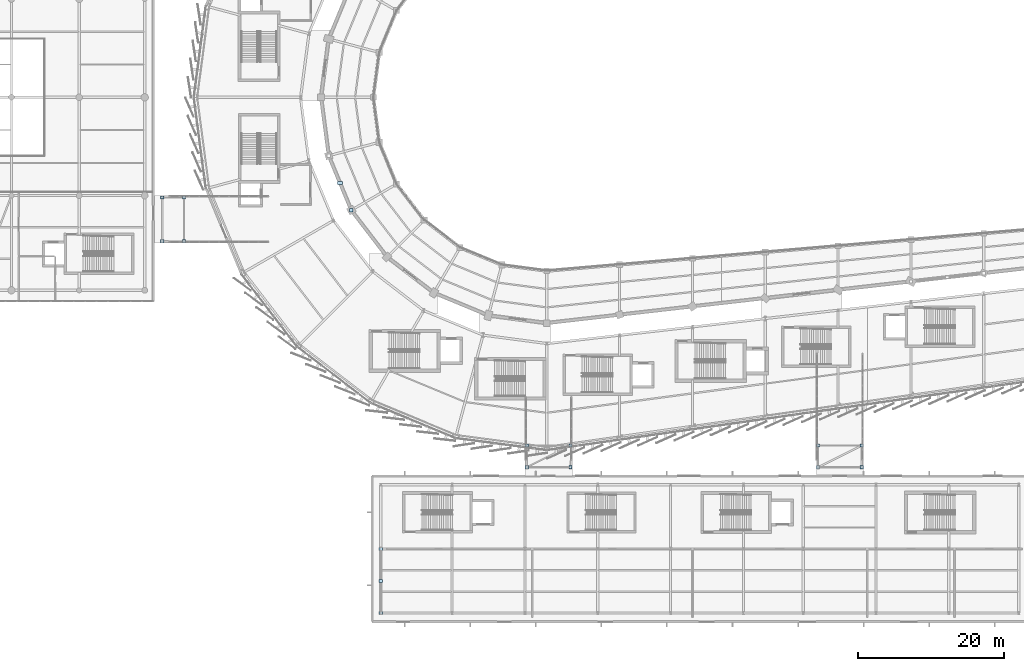
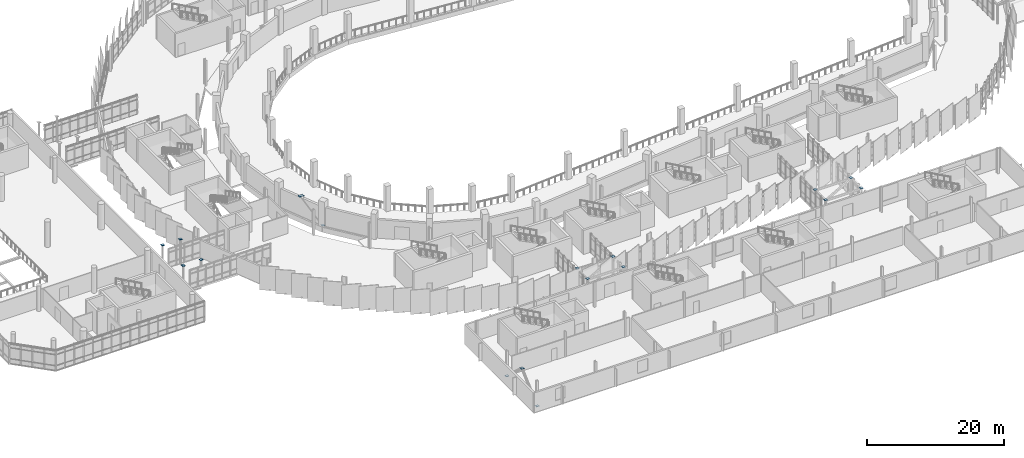
# One storey, part 98 of 125: 17 plates.
"""IFC4 building model written with IfcOpenShell, lengths in metres."""

from ifc_helpers import new_model, si_unit, direction, frame, origin, origin_2d, place, context, subcontext, project, spatial, rectangle, extrude, material, layer, layer_set, type_object, element, save


model = new_model("IFC4")

# Units and contexts
model_context = context("Model", 3, precision=1e-05, world=origin(), true_north=direction((0.0, 1.0)))
body_context = subcontext(model_context, "Body", "Model", "MODEL_VIEW")
ifc_project = project(units=[si_unit("LENGTHUNIT", "METRE"), si_unit("AREAUNIT", "SQUARE_METRE"), si_unit("VOLUMEUNIT", "CUBIC_METRE"), si_unit("PLANEANGLEUNIT", "RADIAN"), si_unit("MASSUNIT", "GRAM", prefix="KILO")], contexts=[model_context])

# Site, building, storey
site_placement = place(None, origin())
site = spatial("IfcSite", under=ifc_project, at=site_placement, CompositionType="ELEMENT")
building_placement = place(site_placement, origin())
building = spatial("IfcBuilding", under=site, at=building_placement, Name="Sohan Crest Arena", CompositionType="ELEMENT")
storey_placement = place(building_placement, frame((0.0, 0.0, 9.0)))
storey = spatial("IfcBuildingStorey", under=building, at=storey_placement, Name="L02", CompositionType="ELEMENT", Elevation=9.0)

# Plates
ifc_material = material(Name="Steel S355", Category="steel")
ifc_layer_1 = layer(ifc_material, 0.031982421875, Name="Steel S355")
ifc_layer_set_1 = layer_set([ifc_layer_1], Name="Steel S355")
plate_type_1 = type_object("IfcPlateType", Name="STR-PL-BP01", PredefinedType="USERDEFINED", material=ifc_layer_set_1)
for number, where, z_axis, x_axis, name in (
    (1, (45.199951171875, 58.25, 4.487548828125), (0.0, 0.0, 1.0), (1.0, 0.0, 0.0), "Hollow section end cap plate ECP-0020"),
    (2, (48.199951171875, 58.25, 4.487548828125), (0.0, 0.0, 1.0), (1.0, 0.0, 0.0), "Hollow section end cap plate ECP-0025"),
    (3, (45.199951171875, 64.25, 4.487548828125), (0.0, 0.0, 1.0), (1.0, 0.0, 0.0), "Hollow section end cap plate ECP-0030"),
    (4, (48.199951171875, 64.25, 4.487548828125), (0.0, 0.0, 1.0), (1.0, 0.0, 0.0), "Hollow section end cap plate ECP-0035"),
    (5, (95.25, 27.199951171875, 3.462646484375), (0.0, 0.0, 1.0), (1.0, 0.0, 0.0), "Hollow section end cap plate ECP-0084"),
    (6, (95.25, 30.199951171875, 3.462646484375), (0.0, 0.0, 1.0), (1.0, 0.0, 0.0), "Hollow section end cap plate ECP-0088"),
    (7, (101.25, 27.199951171875, 3.462646484375), (0.0, 0.0, 1.0), (1.0, 0.0, 0.0), "Hollow section end cap plate ECP-0092"),
    (8, (101.25, 30.199951171875, 3.462646484375), (0.0, 0.0, 1.0), (1.0, 0.0, 0.0), "Hollow section end cap plate ECP-0096"),
    (9, (135.25, 27.199951171875, 3.462646484375), (0.0, 0.0, 1.0), (1.0, 0.0, 0.0), "Hollow section end cap plate ECP-0100"),
    (10, (135.25, 30.199951171875, 3.462646484375), (0.0, 0.0, 1.0), (1.0, 0.0, 0.0), "Hollow section end cap plate ECP-0104"),
    (11, (141.25, 27.199951171875, 3.462646484375), (0.0, 0.0, 1.0), (1.0, 0.0, 0.0), "Hollow section end cap plate ECP-0108"),
    (12, (141.25, 30.199951171875, 3.462646484375), (0.0, 0.0, 1.0), (1.0, 0.0, 0.0), "Hollow section end cap plate ECP-0112"),
    (13, (71.153076171875, 62.5, -0.012451171875), (0.0, 0.0, 1.0), (1.0, 0.0, 0.0), "Hollow section end cap plate ECP-0512"),
    (14, (75.199951171875, 7.199951171875, -0.012451171875), (0.0, 0.0, 1.0), (1.0, 0.0, 0.0), "Hollow section end cap plate ECP-0546"),
    (15, (75.199951171875, 11.60009765625, 3.987548828125), (0.0, 0.0, 1.0), (1.0, 0.0, 0.0), "Hollow section end cap plate ECP-0547"),
    (16, (75.199951171875, 16.0, -0.012451171875), (0.0, 0.0, 1.0), (1.0, 0.0, 0.0), "Hollow section end cap plate ECP-0548"),
):
    element("IfcPlate", number, at=place(storey_placement, frame(where, z_axis=z_axis, x_axis=x_axis)), inside=storey, type_object=plate_type_1, Name=name, ObjectType="BASE PLATE", PredefinedType="USERDEFINED", context=body_context, shape_type="SweptSolid", body=[
        extrude(rectangle(XDim=0.449951171875, YDim=0.449951171875, at=origin_2d()), origin(), (0.0, 0.0, 1.0), 0.02490234375),
    ])
ifc_layer_2 = layer(ifc_material, 0.02587890625, Name="Steel S355")
ifc_layer_set_2 = layer_set([ifc_layer_2], Name="Steel S355")
plate_type_2 = type_object("IfcPlateType", Name="STR-PL-SP05", PredefinedType="SHEET", material=ifc_layer_set_2)
plate_placement = place(storey_placement, frame((69.60498046875, 66.239013671875, 3.487060546875), z_axis=(0.0, 0.0, 1.0), x_axis=(1.0, 0.0, 0.0)))
element("IfcPlate", 17, at=plate_placement, inside=storey, type_object=plate_type_2, Name="Brace connection sheet plate SP-BR014", PredefinedType="SHEET", context=body_context, shape_type="SweptSolid", body=[
    extrude(rectangle(XDim=0.739990234375, YDim=0.4599609375, at=origin_2d()), origin(), (0.0, 0.0, 1.0), 0.02587890625),
])

save(model, "model.ifc")
